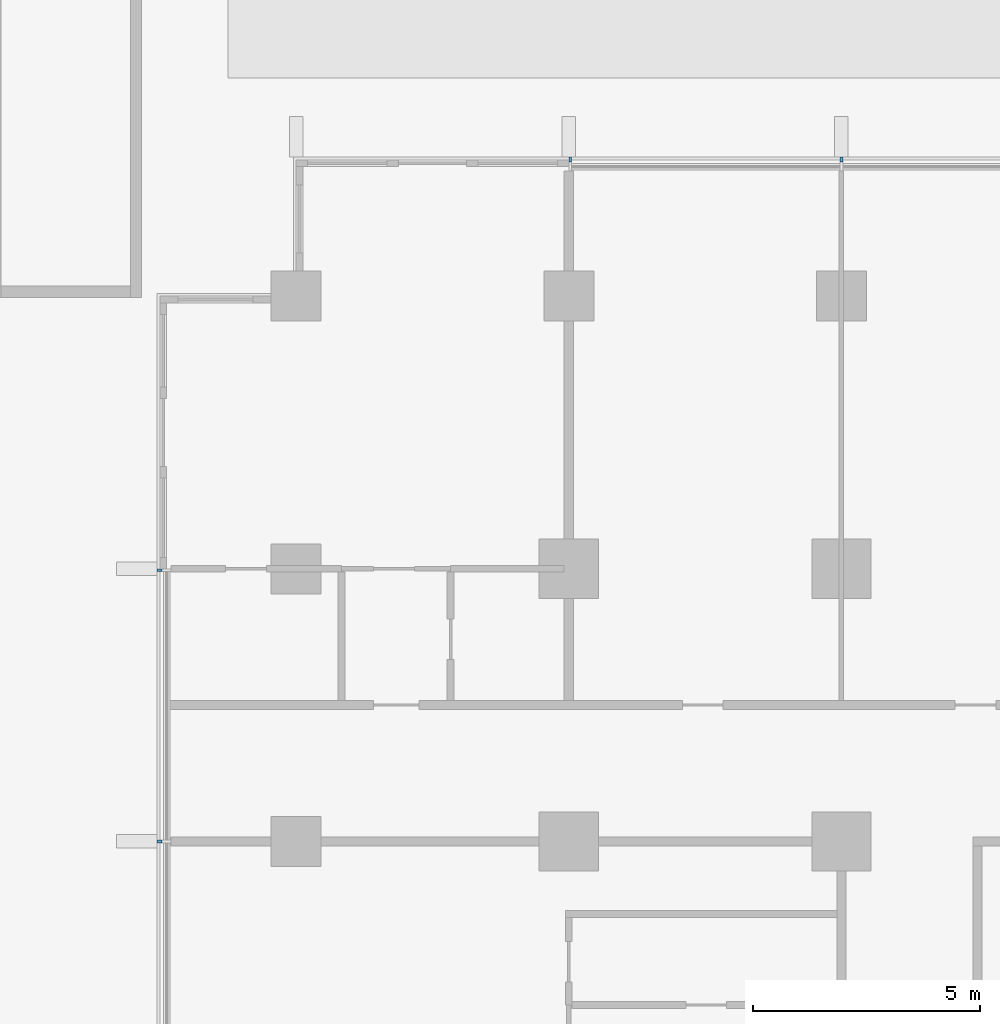
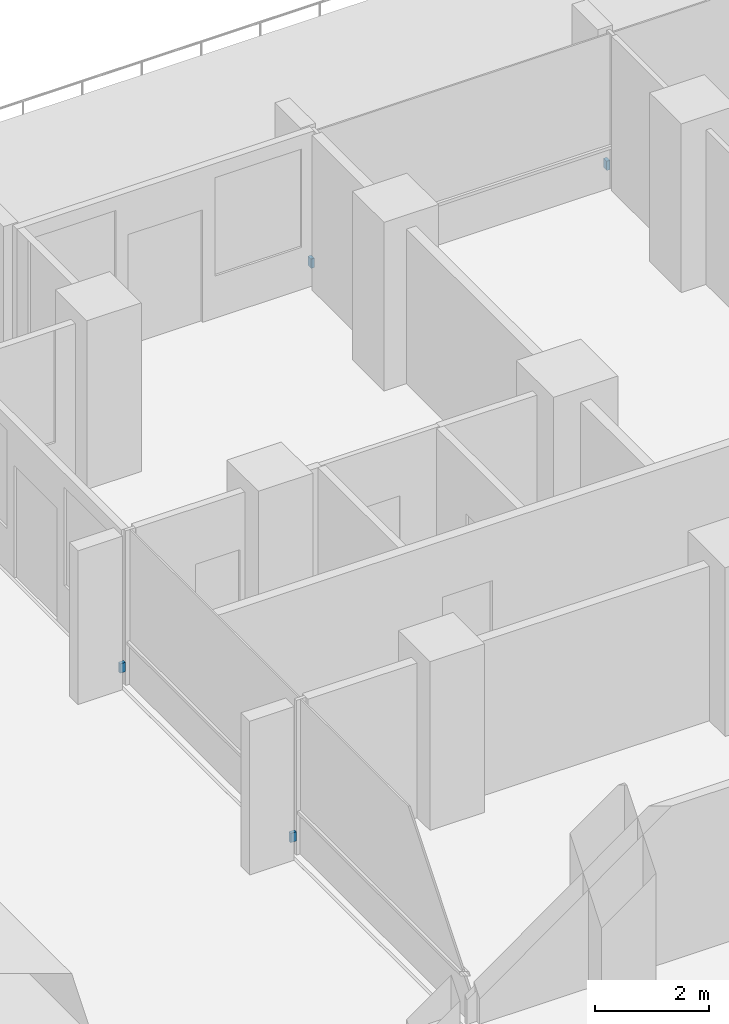
# One storey, part 21 of 25: 4 discrete accessories.
"""IFC4 building model written with IfcOpenShell, lengths in metres."""

from ifc_helpers import new_model, si_unit, direction, frame, origin, origin_2d, place, context, subcontext, project, spatial, rectangle, extrude, material, type_object, element, save


model = new_model("IFC4")

# Units and contexts
model_context = context("Model", 3, precision=1e-05, world=origin(), true_north=direction((0.0, 1.0)))
body_context = subcontext(model_context, "Body", "Model", "MODEL_VIEW")
ifc_project = project(units=[si_unit("LENGTHUNIT", "METRE"), si_unit("AREAUNIT", "SQUARE_METRE"), si_unit("VOLUMEUNIT", "CUBIC_METRE"), si_unit("PLANEANGLEUNIT", "RADIAN"), si_unit("MASSUNIT", "GRAM", prefix="KILO")], contexts=[model_context])

# Site, building, storey
site_placement = place(None, origin())
site = spatial("IfcSite", under=ifc_project, at=site_placement, CompositionType="ELEMENT")
building_placement = place(site_placement, origin())
building = spatial("IfcBuilding", under=site, at=building_placement, Name="Finial Court Residences", CompositionType="ELEMENT")
storey_placement = place(building_placement, frame((0.0, 0.0, 32.5)))
storey = spatial("IfcBuildingStorey", under=building, at=storey_placement, Name="L06", CompositionType="ELEMENT", Elevation=32.5)

# Discrete accessories
ifc_material = material(Name="Stainless steel 316", Category="steel")
discrete_accessory_type = type_object("IfcDiscreteAccessoryType", Name="Fin bracket, stainless steel 65 x 110 x 200", PredefinedType="BRACKET", material=ifc_material)
for number, where, z_axis, x_axis, name in (
    (1, (-16.467529296875, 28.5048828125, 0.2998046875), (0.0, 0.0, 1.0), (1.0, 0.0, 0.0), "E-L06-FIN-N2-BRK"),
    (2, (-10.5, 28.5048828125, 0.2998046875), (0.0, 0.0, 1.0), (1.0, 0.0, 0.0), "E-L06-FIN-N3-BRK"),
):
    element("IfcDiscreteAccessory", number, at=place(storey_placement, frame(where, z_axis=z_axis, x_axis=x_axis)), inside=storey, type_object=discrete_accessory_type, Name=name, PredefinedType="BRACKET", context=body_context, shape_type="SweptSolid", body=[
        extrude(rectangle(XDim=0.06494140625, YDim=0.110107421875, at=origin_2d()), origin(), (0.0, 0.0, 1.0), 0.199951171875),
    ])
for number, where, z_axis, x_axis, name in (
    (3, (-25.5048828125, 13.5, 0.2998046875), (0.0, 0.0, 1.0), (1.0, 0.0, 0.0), "E-L06-FIN-W32-BRK"),
    (4, (-25.5048828125, 19.467529296875, 0.2998046875), (0.0, 0.0, 1.0), (1.0, 0.0, 0.0), "E-L06-FIN-W33-BRK"),
):
    element("IfcDiscreteAccessory", number, at=place(storey_placement, frame(where, z_axis=z_axis, x_axis=x_axis)), inside=storey, type_object=discrete_accessory_type, Name=name, PredefinedType="BRACKET", context=body_context, shape_type="SweptSolid", body=[
        extrude(rectangle(XDim=0.110107421875, YDim=0.06494140625, at=origin_2d()), origin(), (0.0, 0.0, 1.0), 0.199951171875),
    ])

save(model, "model.ifc")
